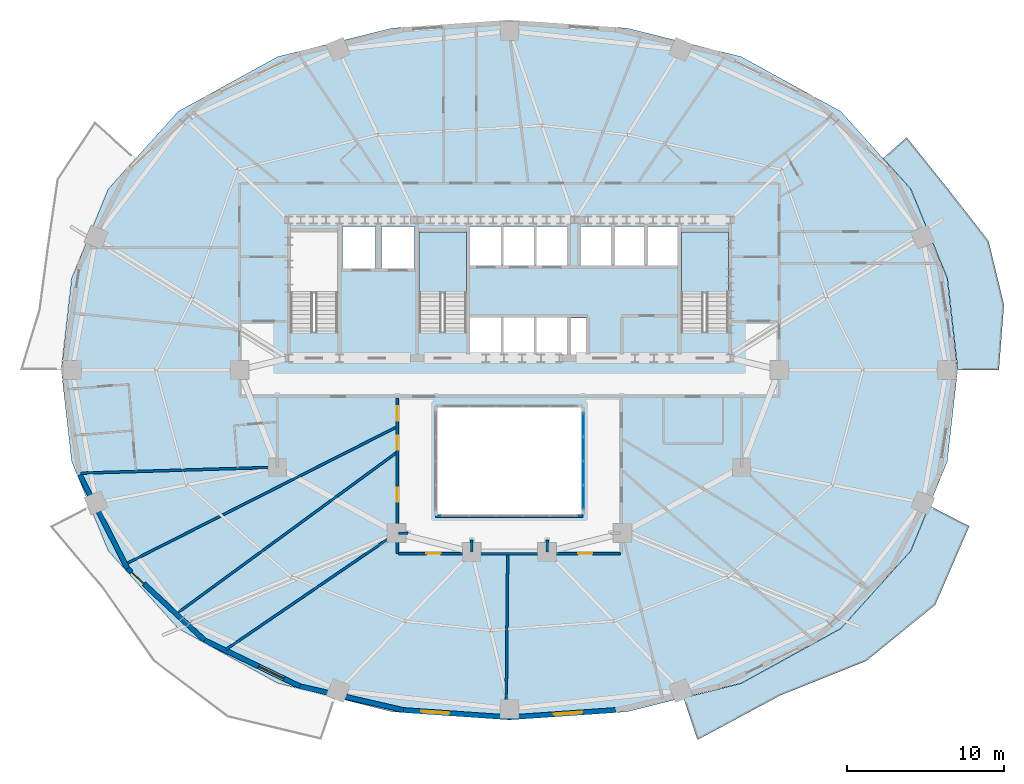
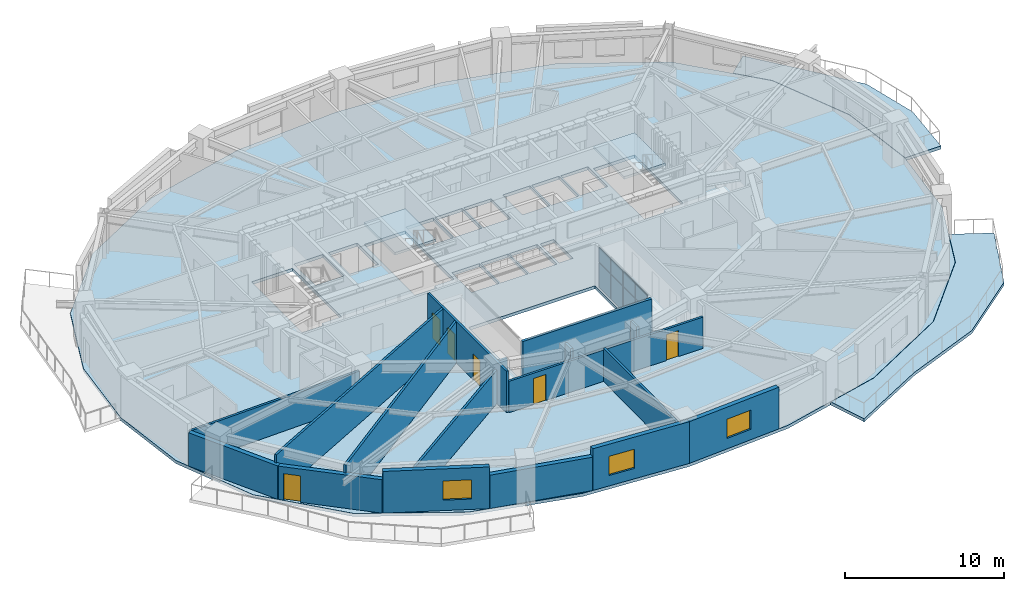
# One storey, part 6 of 14: 17 walls, 8 plates, 6 doors, 5 slabs, 3 windows, 9 openings, 3 elements without a shape of their own.
"""IFC4 building model written with IfcOpenShell, lengths in metres."""

from ifc_helpers import new_model, si_unit, direction, frame, frame_2d, origin, origin_2d, place, context, subcontext, project, spatial, polyline, rectangle, outline, extrude, material, layer, layer_set, type_object, element, fill, aggregate, save


model = new_model("IFC4")

# Units and contexts
model_context = context("Model", 3, precision=1e-05, world=origin(), true_north=direction((0.0, 1.0)))
body_context = subcontext(model_context, "Body", "Model", "MODEL_VIEW")
ifc_project = project(units=[si_unit("LENGTHUNIT", "METRE"), si_unit("AREAUNIT", "SQUARE_METRE"), si_unit("VOLUMEUNIT", "CUBIC_METRE"), si_unit("PLANEANGLEUNIT", "RADIAN"), si_unit("MASSUNIT", "GRAM", prefix="KILO")], contexts=[model_context])

# Site, building, storey
site_placement = place(None, origin())
site = spatial("IfcSite", under=ifc_project, at=site_placement, CompositionType="ELEMENT")
building_placement = place(site_placement, origin())
building = spatial("IfcBuilding", under=site, at=building_placement, Name="Haldorwick Loom Tower", CompositionType="ELEMENT")
storey_placement = place(building_placement, frame((0.0, 0.0, 95.60009765625)))
storey = spatial("IfcBuildingStorey", under=building, at=storey_placement, Name="L25", CompositionType="ELEMENT", Elevation=95.60009765625)

# Curtain wall, plates
ifc_material_1 = material(Name="Thermally Broken Anodized Aluminium Curtain Wall Framing", Category="aluminium")
curtain_wall_type = type_object("IfcCurtainWallType", Name="ARC-CW-03", PredefinedType="NOTDEFINED", material=ifc_material_1)
curtain_wall_placement = place(storey_placement, origin())
curtain_wall = element("IfcCurtainWall", 1, at=curtain_wall_placement, inside=storey, type_object=curtain_wall_type, Name="L25 Atrium Glazed Screen E", PredefinedType="NOTDEFINED")
ifc_material_2 = material(Name="Triple-Glazed Low-E Argon Insulated Glazing Unit", Category="glass")
ifc_layer_1 = layer(ifc_material_2, 0.04296875, Name="Triple-Glazed Low-E Argon Insulated Glazing Unit", Category="glass")
ifc_layer_set_1 = layer_set([ifc_layer_1], Name="Triple-Glazed Low-E Argon Insulated Glazing Unit")
plate_type = type_object("IfcPlateType", Name="ARC-CWP-03", PredefinedType="CURTAIN_PANEL", material=ifc_layer_set_1)
plate_1_placement = place(storey_placement, frame((40.699951171875, 22.508544921875, 0.06591796875), z_axis=(0.0, 0.0, 1.0), x_axis=(0.0, -1.0, 0.0)))
plate_1 = element("IfcPlate", 2, at=plate_1_placement, type_object=plate_type, Name="CW-03 panel 1.1", PredefinedType="CURTAIN_PANEL", context=body_context, shape_type="SweptSolid", body=[
    extrude(rectangle(XDim=1.450927734375, YDim=0.04296875, at=origin_2d()), origin(), (0.0, 0.0, 1.0), 1.90087890625),
])
plate_2_placement = place(storey_placement, frame((40.699951171875, 22.508544921875, 2.03271484375), z_axis=(0.0, 0.0, 1.0), x_axis=(0.0, -1.0, 0.0)))
plate_2 = element("IfcPlate", 3, at=plate_2_placement, type_object=plate_type, Name="CW-03 panel 1.2", PredefinedType="CURTAIN_PANEL", context=body_context, shape_type="SweptSolid", body=[
    extrude(rectangle(XDim=1.450927734375, YDim=0.04296875, at=origin_2d()), origin(), (0.0, 0.0, 1.0), 1.111083984375),
])
plate_3_placement = place(storey_placement, frame((40.699951171875, 20.97509765625, 0.06591796875), z_axis=(0.0, 0.0, 1.0), x_axis=(0.0, -1.0, 0.0)))
plate_3 = element("IfcPlate", 4, at=plate_3_placement, type_object=plate_type, Name="CW-03 panel 2.1", PredefinedType="CURTAIN_PANEL", context=body_context, shape_type="SweptSolid", body=[
    extrude(rectangle(XDim=1.48388671875, YDim=0.04296875, at=origin_2d()), origin(), (0.0, 0.0, 1.0), 1.90087890625),
])
plate_4_placement = place(storey_placement, frame((40.699951171875, 20.97509765625, 2.03271484375), z_axis=(0.0, 0.0, 1.0), x_axis=(0.0, -1.0, 0.0)))
plate_4 = element("IfcPlate", 5, at=plate_4_placement, type_object=plate_type, Name="CW-03 panel 2.2", PredefinedType="CURTAIN_PANEL", context=body_context, shape_type="SweptSolid", body=[
    extrude(rectangle(XDim=1.48388671875, YDim=0.04296875, at=origin_2d()), origin(), (0.0, 0.0, 1.0), 1.111083984375),
])
plate_5_placement = place(storey_placement, frame((40.699951171875, 19.425048828125, 0.06591796875), z_axis=(0.0, 0.0, 1.0), x_axis=(0.0, -1.0, 0.0)))
plate_5 = element("IfcPlate", 6, at=plate_5_placement, type_object=plate_type, Name="CW-03 panel 3.1", PredefinedType="CURTAIN_PANEL", context=body_context, shape_type="SweptSolid", body=[
    extrude(rectangle(XDim=1.48388671875, YDim=0.04296875, at=origin_2d()), origin(), (0.0, 0.0, 1.0), 1.90087890625),
])
plate_6_placement = place(storey_placement, frame((40.699951171875, 19.425048828125, 2.03271484375), z_axis=(0.0, 0.0, 1.0), x_axis=(0.0, -1.0, 0.0)))
plate_6 = element("IfcPlate", 7, at=plate_6_placement, type_object=plate_type, Name="CW-03 panel 3.2", PredefinedType="CURTAIN_PANEL", context=body_context, shape_type="SweptSolid", body=[
    extrude(rectangle(XDim=1.48388671875, YDim=0.04296875, at=origin_2d()), origin(), (0.0, 0.0, 1.0), 1.111083984375),
])
plate_7_placement = place(storey_placement, frame((40.699951171875, 17.8916015625, 0.06591796875), z_axis=(0.0, 0.0, 1.0), x_axis=(0.0, -1.0, 0.0)))
plate_7 = element("IfcPlate", 8, at=plate_7_placement, type_object=plate_type, Name="CW-03 panel 4.1", PredefinedType="CURTAIN_PANEL", context=body_context, shape_type="SweptSolid", body=[
    extrude(rectangle(XDim=1.450927734375, YDim=0.04296875, at=origin_2d()), origin(), (0.0, 0.0, 1.0), 1.90087890625),
])
plate_8_placement = place(storey_placement, frame((40.699951171875, 17.8916015625, 2.03271484375), z_axis=(0.0, 0.0, 1.0), x_axis=(0.0, -1.0, 0.0)))
plate_8 = element("IfcPlate", 9, at=plate_8_placement, type_object=plate_type, Name="CW-03 panel 4.2", PredefinedType="CURTAIN_PANEL", context=body_context, shape_type="SweptSolid", body=[
    extrude(rectangle(XDim=1.450927734375, YDim=0.04296875, at=origin_2d()), origin(), (0.0, 0.0, 1.0), 1.111083984375),
])
aggregate(curtain_wall, [plate_1, plate_2, plate_3, plate_4, plate_5, plate_6, plate_7, plate_8])

# Slabs
ifc_material_3 = material(Name="Concrete C40 (40 MPa)", Category="concrete")
ifc_layer_2 = layer(ifc_material_3, 0.239990234375, Name="Concrete C40 (40 MPa)", Category="concrete")
ifc_layer_set_2 = layer_set([ifc_layer_2], Name="Concrete C40 (40 MPa)")
slab_type_1 = type_object("IfcSlabType", Name="STR-SLB-BAL240", PredefinedType="FLOOR", material=ifc_layer_set_2)
slab_1_placement = place(storey_placement, frame((0.0, 0.0, -0.239990234375)))
element("IfcSlab", 10, at=slab_1_placement, inside=storey, type_object=slab_type_1, Name="L25 Sinusoidal Balcony Terrace BAL_SE", PredefinedType="FLOOR", context=body_context, shape_type="SweptSolid", body=[
    extrude(outline(polyline([(62.758544921875, 17.348388671875), (61.580078125, 14.468994140625), (61.579345703125, 14.4677734375), (61.578857421875, 14.466552734375), (61.578125, 14.465576171875), (61.5771484375, 14.464599609375), (57.11279296875, 9.51318359375), (57.11181640625, 9.51220703125), (57.1103515625, 9.510986328125), (57.10888671875, 9.51025390625), (50.767822265625, 6.0244140625), (50.7666015625, 6.023681640625), (50.765380859375, 6.023193359375), (50.76416015625, 6.022705078125), (47.0869140625, 5.105224609375), (47.983642578125, 2.43310546875), (53.252197265625, 5.258056640625), (58.720458984375, 7.4501953125), (63.1259765625, 11.02294921875), (65.300537109375, 16.042236328125), (62.758544921875, 17.348388671875)])), origin(), (0.0, 0.0, 1.0), 0.239990234375),
])
slab_2_placement = place(storey_placement, frame((0.0, 0.0, -0.239990234375)))
element("IfcSlab", 11, at=slab_2_placement, inside=storey, type_object=slab_type_1, Name="L25 Sinusoidal Balcony Terrace BAL_ENE", PredefinedType="FLOOR", context=body_context, shape_type="SweptSolid", body=[
    extrude(outline(polyline([(59.814208984375, 39.490966796875), (61.5771484375, 37.535400390625), (61.578125, 37.534423828125), (61.578857421875, 37.533447265625), (61.579345703125, 37.5322265625), (61.580078125, 37.531005859375), (63.90869140625, 31.841796875), (63.9091796875, 31.840576171875), (63.909423828125, 31.83935546875), (63.90966796875, 31.837890625), (64.572509765625, 26.001708984375), (64.572509765625, 26.0), (67.1875, 26.0), (67.51220703125, 30.1494140625), (66.52587890625, 34.22265625), (63.92919921875, 37.553466796875), (61.3076171875, 40.816162109375), (59.814208984375, 39.490966796875)])), origin(), (0.0, 0.0, 1.0), 0.239990234375),
])

# Stair, slab
stair_type = type_object("IfcStairType", Name="STR-STR-CORE", PredefinedType="HALF_TURN_STAIR", material=ifc_material_3)
stair_1_placement = place(storey_placement, origin())
stair_1 = element("IfcStair", 12, at=stair_1_placement, inside=storey, type_object=stair_type, Name="L25 Exit Stair ST-02", PredefinedType="HALF_TURN_STAIR")
ifc_layer_3 = layer(ifc_material_3, 0.199951171875, Name="Concrete C40 (40 MPa)", Category="concrete")
ifc_layer_set_3 = layer_set([ifc_layer_3], Name="Concrete C40 (40 MPa)")
slab_type_2 = type_object("IfcSlabType", Name="STR-SLB-LAND200", PredefinedType="LANDING", material=ifc_layer_set_3)
slab_3_placement = place(storey_placement, frame((0.0, 0.0, 1.52490234375)))
slab_3 = element("IfcSlab", 13, at=slab_3_placement, type_object=slab_type_2, Name="ST-02 landing 1", PredefinedType="LANDING", context=body_context, shape_type="SweptSolid", body=[
    extrude(outline(polyline([(49.949951171875, 30.919921875), (49.949951171875, 34.800048828125), (46.949951171875, 34.800048828125), (46.949951171875, 30.919921875), (49.949951171875, 30.919921875)])), origin(), (0.0, 0.0, 1.0), 0.199951171875),
])
aggregate(stair_1, [slab_3])

stair_2_placement = place(storey_placement, origin())
stair_2 = element("IfcStair", 14, at=stair_2_placement, inside=storey, type_object=stair_type, Name="L25 Exit Stair ST-03", PredefinedType="HALF_TURN_STAIR")
slab_4_placement = place(storey_placement, frame((0.0, 0.0, 1.52490234375)))
slab_4 = element("IfcSlab", 15, at=slab_4_placement, type_object=slab_type_2, Name="ST-03 landing 1", PredefinedType="LANDING", context=body_context, shape_type="SweptSolid", body=[
    extrude(outline(polyline([(33.25, 30.919921875), (33.25, 34.800048828125), (30.25, 34.800048828125), (30.25, 30.919921875), (33.25, 30.919921875)])), origin(), (0.0, 0.0, 1.0), 0.199951171875),
])
aggregate(stair_2, [slab_4])

# Slab
ifc_layer_4 = layer(ifc_material_3, 0.239990234375, Name="Concrete C40 (40 MPa)", Category="concrete")
ifc_layer_set_4 = layer_set([ifc_layer_4], Name="Concrete C40 (40 MPa)")
slab_type_3 = type_object("IfcSlabType", Name="STR-SLB-RES240", PredefinedType="FLOOR", material=ifc_layer_set_4)
slab_5_placement = place(storey_placement, frame((0.0, 0.0, -0.239990234375)))
element("IfcSlab", 16, at=slab_5_placement, inside=storey, type_object=slab_type_3, Name="L25 Residential Structural Floor Slab", PredefinedType="FLOOR", context=body_context, shape_type="SweptSolid", body=[
    extrude(outline(polyline([(57.101806640625, 9.523193359375), (61.566162109375, 14.474609375), (63.894775390625, 20.163818359375), (64.5576171875, 26.0), (63.894775390625, 31.836181640625), (61.566162109375, 37.525390625), (57.101806640625, 42.476806640625), (50.760498046875, 45.962646484375), (43.474365234375, 47.781005859375), (36.0, 48.29833984375), (28.525634765625, 47.781005859375), (21.239501953125, 45.962646484375), (14.898193359375, 42.476806640625), (10.433837890625, 37.525390625), (8.105224609375, 31.836181640625), (7.4423828125, 26.0), (8.105224609375, 20.163818359375), (10.433837890625, 14.474609375), (14.898193359375, 9.523193359375), (21.239501953125, 6.037353515625), (28.525634765625, 4.218994140625), (36.0, 3.70166015625), (43.474365234375, 4.218994140625), (50.760498046875, 6.037353515625), (57.101806640625, 9.523193359375)]), holes=[polyline([(31.39990234375, 23.60009765625), (40.60009765625, 23.60009765625), (40.60009765625, 16.800048828125), (31.39990234375, 16.800048828125), (31.39990234375, 23.60009765625)]), polyline([(33.5, 26.85009765625), (33.5, 29.35009765625), (35.5, 29.35009765625), (35.5, 26.85009765625), (33.5, 26.85009765625)]), polyline([(22.050048828125, 28.39990234375), (22.050048828125, 34.800048828125), (25.050048828125, 34.800048828125), (25.050048828125, 28.639892578125), (23.6201171875, 28.639892578125), (23.6201171875, 28.39990234375), (22.050048828125, 28.39990234375)]), polyline([(30.25, 28.39990234375), (30.25, 34.800048828125), (33.25, 34.800048828125), (33.25, 28.639892578125), (31.820068359375, 28.639892578125), (31.820068359375, 28.39990234375), (30.25, 28.39990234375)]), polyline([(25.35009765625, 32.449951171875), (25.35009765625, 35.14990234375), (27.449951171875, 35.14990234375), (27.449951171875, 32.449951171875), (25.35009765625, 32.449951171875)]), polyline([(27.85009765625, 32.449951171875), (27.85009765625, 35.14990234375), (29.949951171875, 35.14990234375), (29.949951171875, 32.449951171875), (27.85009765625, 32.449951171875)]), polyline([(33.5, 32.64990234375), (33.5, 35.14990234375), (35.5, 35.14990234375), (35.5, 32.64990234375), (33.5, 32.64990234375)]), polyline([(35.60009765625, 32.64990234375), (35.60009765625, 35.14990234375), (37.60009765625, 35.14990234375), (37.60009765625, 32.64990234375), (35.60009765625, 32.64990234375)]), polyline([(35.60009765625, 26.85009765625), (35.60009765625, 29.35009765625), (37.60009765625, 29.35009765625), (37.60009765625, 26.85009765625), (35.60009765625, 26.85009765625)]), polyline([(37.699951171875, 26.85009765625), (37.699951171875, 29.35009765625), (39.699951171875, 29.35009765625), (39.699951171875, 26.85009765625), (37.699951171875, 26.85009765625)]), polyline([(39.89990234375, 26.89990234375), (39.89990234375, 29.300048828125), (40.89990234375, 29.300048828125), (40.89990234375, 26.89990234375), (39.89990234375, 26.89990234375)]), polyline([(46.949951171875, 28.39990234375), (46.949951171875, 34.800048828125), (49.949951171875, 34.800048828125), (49.949951171875, 28.639892578125), (48.52001953125, 28.639892578125), (48.52001953125, 28.39990234375), (46.949951171875, 28.39990234375)]), polyline([(37.699951171875, 32.64990234375), (37.699951171875, 35.14990234375), (39.699951171875, 35.14990234375), (39.699951171875, 32.64990234375), (37.699951171875, 32.64990234375)]), polyline([(40.550048828125, 32.64990234375), (40.550048828125, 35.14990234375), (42.550048828125, 35.14990234375), (42.550048828125, 32.64990234375), (40.550048828125, 32.64990234375)]), polyline([(42.64990234375, 32.64990234375), (42.64990234375, 35.14990234375), (44.64990234375, 35.14990234375), (44.64990234375, 32.64990234375), (42.64990234375, 32.64990234375)]), polyline([(44.75, 32.64990234375), (44.75, 35.14990234375), (46.75, 35.14990234375), (46.75, 32.64990234375), (44.75, 32.64990234375)])]), origin(), (0.0, 0.0, 1.0), 0.239990234375),
])

# Wall
ifc_material_4 = material(Name="Pressed Clay Face Brick and Insulated Masonry Backup Assembly", Category="masonry")
ifc_layer_5 = layer(ifc_material_4, 0.320068359375, Name="Pressed Clay Face Brick and Insulated Masonry Backup Assembly", Category="masonry")
ifc_layer_set_5 = layer_set([ifc_layer_5], Name="Pressed Clay Face Brick and Insulated Masonry Backup Assembly")
wall_type_1 = type_object("IfcWallType", Name="ARC-WL-EXT320", PredefinedType="STANDARD", material=ifc_layer_set_5)
wall_1_placement = place(storey_placement, frame((8.619384765625, 19.324951171875, 0.0), z_axis=(0.0, 0.0, 1.0), x_axis=(0.453374078001, -0.89132033826, 0.0)))
element("IfcWall", 17, at=wall_1_placement, inside=storey, type_object=wall_type_1, Name="L25 Brick Pier and Spandrel Wall 14", PredefinedType="STANDARD", context=body_context, shape_type="SweptSolid", body=[
    extrude(rectangle(XDim=6.709716796875, YDim=0.320068359375, at=frame_2d((3.35498046875, 0.0))), origin(), (0.0, 0.0, 1.0), 2.56884765625),
])

# Wall, opening, door
wall_2_placement = place(storey_placement, frame((11.661376953125, 13.344482421875, 0.0), z_axis=(0.0, 0.0, 1.0), x_axis=(0.732137360086, -0.681157020052, 0.0)))
wall_2 = element("IfcWall", 18, at=wall_2_placement, inside=storey, type_object=wall_type_1, Name="L25 Brick Pier and Spandrel Wall 15", PredefinedType="STANDARD", context=body_context, shape_type="SweptSolid", body=[
    extrude(rectangle(XDim=6.709228515625, YDim=0.320068359375, at=frame_2d((3.3544921875, 0.0))), origin(), (0.0, 0.0, 1.0), 2.56884765625),
])
opening_1_placement = place(wall_2_placement, frame((0.340087890625, 0.0, 0.0)))
opening_1 = element("IfcOpeningElement", 19, at=opening_1_placement, cuts=wall_2, Name="Opening D-BL11", PredefinedType="OPENING", context=body_context, shape_type="SweptSolid", body=[
    extrude(rectangle(XDim=1.080078125, YDim=2.0400390625, at=frame_2d((0.5400390625, 1.02001953125))), frame((0.0, 0.169921875, 0.0), z_axis=(0.0, -1.0, 0.0), x_axis=(1.0, 0.0, 0.0)), (0.0, 0.0, 1.0), 0.340087890625),
])
door_type_1 = type_object("IfcDoorType", Name="ARC-DR-BAL110", OperationType="NOTDEFINED", PredefinedType="DOOR", material=ifc_material_1)
door_1_placement = place(opening_1_placement, origin())
door_1 = element("IfcDoor", 20, at=door_1_placement, inside=storey, type_object=door_type_1, Name="L25 Outdoor Terrace Door SLB-L25-BAL_SW", OperationType="SINGLE_SWING_LEFT", OverallHeight=2.0400390625, OverallWidth=1.080078125, PredefinedType="DOOR", context=body_context, shape_type="SweptSolid", body=[
    extrude(rectangle(XDim=1.080078125, YDim=2.0400390625, at=frame_2d((0.5400390625, 1.02001953125))), frame((0.0, 0.02490234375, 0.0), z_axis=(0.0, -1.0, 0.0), x_axis=(1.0, 0.0, 0.0)), (0.0, 0.0, 1.0), 0.050048828125),
])
fill(opening_1, door_1)

# Wall, opening, window
wall_3_placement = place(storey_placement, frame((16.573486328125, 8.7744140625, 0.0), z_axis=(0.0, 0.0, 1.0), x_axis=(0.900510094661, -0.434835106004, 0.0)))
wall_3 = element("IfcWall", 21, at=wall_3_placement, inside=storey, type_object=wall_type_1, Name="L25 Brick Pier and Spandrel Wall 16", PredefinedType="STANDARD", context=body_context, shape_type="SweptSolid", body=[
    extrude(rectangle(XDim=6.744873046875, YDim=0.320068359375, at=frame_2d((3.37255859375, 0.0))), origin(), (0.0, 0.0, 1.0), 3.2099609375),
])
opening_2_placement = place(wall_3_placement, frame((3.8212890625, 0.0, 0.800048828125)))
opening_2 = element("IfcOpeningElement", 22, at=opening_2_placement, cuts=wall_3, Name="Opening W-01", PredefinedType="OPENING", context=body_context, shape_type="SweptSolid", body=[
    extrude(rectangle(XDim=1.800048828125, YDim=1.47998046875, at=frame_2d((0.89990234375, 0.739990234375))), frame((0.0, 0.169921875, 0.0), z_axis=(0.0, -1.0, 0.0), x_axis=(1.0, 0.0, 0.0)), (0.0, 0.0, 1.0), 0.340087890625),
])
window_type = type_object("IfcWindowType", Name="ARC-WIN-W180", PartitioningType="SINGLE_PANEL", PredefinedType="WINDOW", material=ifc_material_2)
window_1_placement = place(opening_2_placement, origin())
window_1 = element("IfcWindow", 23, at=window_1_placement, inside=storey, type_object=window_type, Name="L25 Deep-Set Zone 7A Window 16", OverallHeight=1.47998046875, OverallWidth=1.800048828125, PartitioningType="SINGLE_PANEL", PredefinedType="WINDOW", context=body_context, shape_type="SweptSolid", body=[
    extrude(rectangle(XDim=1.800048828125, YDim=1.47998046875, at=frame_2d((0.89990234375, 0.739990234375))), frame((0.0, 0.030029296875, 0.0), z_axis=(0.0, -1.0, 0.0), x_axis=(1.0, 0.0, 0.0)), (0.0, 0.0, 1.0), 0.06005859375),
])
fill(opening_2, window_1)

# Wall
wall_4_placement = place(storey_placement, frame((22.647216796875, 5.841552734375, 0.0), z_axis=(0.0, 0.0, 1.0), x_axis=(0.974584177714, -0.224021607329, 0.0)))
element("IfcWall", 24, at=wall_4_placement, inside=storey, type_object=wall_type_1, Name="L25 Brick Pier and Spandrel Wall 17", PredefinedType="STANDARD", context=body_context, shape_type="SweptSolid", body=[
    extrude(rectangle(XDim=6.767822265625, YDim=0.320068359375, at=frame_2d((3.3837890625, 0.0))), origin(), (0.0, 0.0, 1.0), 2.56884765625),
])

# Wall, opening, window
wall_5_placement = place(storey_placement, frame((29.242919921875, 4.325439453125, 0.0), z_axis=(0.0, 0.0, 1.0), x_axis=(0.997651949344, -0.068487867318, 0.0)))
wall_5 = element("IfcWall", 25, at=wall_5_placement, inside=storey, type_object=wall_type_1, Name="L25 Brick Pier and Spandrel Wall 18", PredefinedType="STANDARD", context=body_context, shape_type="SweptSolid", body=[
    extrude(rectangle(XDim=6.77294921875, YDim=0.320068359375, at=frame_2d((3.386474609375, 0.0))), origin(), (0.0, 0.0, 1.0), 3.2099609375),
])
opening_3_placement = place(wall_5_placement, frame((1.1318359375, 0.0, 0.800048828125)))
opening_3 = element("IfcOpeningElement", 26, at=opening_3_placement, cuts=wall_5, Name="Opening W-01", PredefinedType="OPENING", context=body_context, shape_type="SweptSolid", body=[
    extrude(rectangle(XDim=1.800048828125, YDim=1.47998046875, at=frame_2d((0.89990234375, 0.739990234375))), frame((0.0, 0.169921875, 0.0), z_axis=(0.0, -1.0, 0.0), x_axis=(1.0, 0.0, 0.0)), (0.0, 0.0, 1.0), 0.340087890625),
])
window_2_placement = place(opening_3_placement, origin())
window_2 = element("IfcWindow", 27, at=window_2_placement, inside=storey, type_object=window_type, Name="L25 Deep-Set Zone 7A Window 18", OverallHeight=1.47998046875, OverallWidth=1.800048828125, PartitioningType="SINGLE_PANEL", PredefinedType="WINDOW", context=body_context, shape_type="SweptSolid", body=[
    extrude(rectangle(XDim=1.800048828125, YDim=1.47998046875, at=frame_2d((0.89990234375, 0.739990234375))), frame((0.0, 0.030029296875, 0.0), z_axis=(0.0, -1.0, 0.0), x_axis=(1.0, 0.0, 0.0)), (0.0, 0.0, 1.0), 0.06005859375),
])
fill(opening_3, window_2)

wall_6_placement = place(storey_placement, frame((36.0, 3.861572265625, 0.0), z_axis=(0.0, 0.0, 1.0), x_axis=(0.997651949344, 0.068487867318, 0.0)))
wall_6 = element("IfcWall", 28, at=wall_6_placement, inside=storey, type_object=wall_type_1, Name="L25 Brick Pier and Spandrel Wall 19", PredefinedType="STANDARD", context=body_context, shape_type="SweptSolid", body=[
    extrude(rectangle(XDim=6.77294921875, YDim=0.320068359375, at=frame_2d((3.386474609375, 0.0))), origin(), (0.0, 0.0, 1.0), 3.2099609375),
])
opening_4_placement = place(wall_6_placement, frame((2.84423828125, 0.0, 0.800048828125)))
opening_4 = element("IfcOpeningElement", 29, at=opening_4_placement, cuts=wall_6, Name="Opening W-01", PredefinedType="OPENING", context=body_context, shape_type="SweptSolid", body=[
    extrude(rectangle(XDim=1.800048828125, YDim=1.47998046875, at=frame_2d((0.89990234375, 0.739990234375))), frame((0.0, 0.169921875, 0.0), z_axis=(0.0, -1.0, 0.0), x_axis=(1.0, 0.0, 0.0)), (0.0, 0.0, 1.0), 0.340087890625),
])
window_3_placement = place(opening_4_placement, origin())
window_3 = element("IfcWindow", 30, at=window_3_placement, inside=storey, type_object=window_type, Name="L25 Deep-Set Zone 7A Window 19", OverallHeight=1.47998046875, OverallWidth=1.800048828125, PartitioningType="SINGLE_PANEL", PredefinedType="WINDOW", context=body_context, shape_type="SweptSolid", body=[
    extrude(rectangle(XDim=1.800048828125, YDim=1.47998046875, at=frame_2d((0.89990234375, 0.739990234375))), frame((0.0, 0.030029296875, 0.0), z_axis=(0.0, -1.0, 0.0), x_axis=(1.0, 0.0, 0.0)), (0.0, 0.0, 1.0), 0.06005859375),
])
fill(opening_4, window_3)

# Wall, openings, doors
ifc_material_5 = material(Name="Fire-Rated Type X Gypsum Stud Assembly EI 60")
ifc_layer_6 = layer(ifc_material_5, 0.159912109375, Name="Fire-Rated Type X Gypsum Stud Assembly EI 60")
ifc_layer_set_6 = layer_set([ifc_layer_6], Name="Fire-Rated Type X Gypsum Stud Assembly EI 60")
wall_type_2 = type_object("IfcWallType", Name="ARC-WL-FIRE160", PredefinedType="PARTITIONING", material=ifc_layer_set_6)
wall_7_placement = place(storey_placement, frame((28.85009765625, 14.300048828125, 0.0), z_axis=(0.0, 0.0, 1.0), x_axis=(0.0, 1.0, 0.0)))
wall_7 = element("IfcWall", 31, at=wall_7_placement, inside=storey, type_object=wall_type_2, Name="L25 Residential Fire Partition L25-CR-AW", PredefinedType="PARTITIONING", context=body_context, shape_type="SweptSolid", body=[
    extrude(rectangle(XDim=9.9169921875, YDim=0.159912109375, at=frame_2d((4.95849609375, 0.0))), origin(), (0.0, 0.0, 1.0), 3.19482421875),
])
opening_5_placement = place(wall_7_placement, frame((3.29638671875, 0.0, 0.0)))
opening_5 = element("IfcOpeningElement", 32, at=opening_5_placement, cuts=wall_7, Name="Opening D-FD60A", PredefinedType="OPENING", context=body_context, shape_type="SweptSolid", body=[
    extrude(rectangle(XDim=0.89990234375, YDim=2.0, at=frame_2d((0.449951171875, 1.0))), frame((0.0, 0.08984375, 0.0), z_axis=(0.0, -1.0, 0.0), x_axis=(1.0, 0.0, 0.0)), (0.0, 0.0, 1.0), 0.179931640625),
])
opening_6_placement = place(wall_7_placement, frame((8.475341796875, 0.0, 0.0)))
opening_6 = element("IfcOpeningElement", 33, at=opening_6_placement, cuts=wall_7, Name="Opening D-FD60A", PredefinedType="OPENING", context=body_context, shape_type="SweptSolid", body=[
    extrude(rectangle(XDim=0.89990234375, YDim=2.0, at=frame_2d((0.449951171875, 1.0))), frame((0.0, 0.08984375, 0.0), z_axis=(0.0, -1.0, 0.0), x_axis=(1.0, 0.0, 0.0)), (0.0, 0.0, 1.0), 0.179931640625),
])
opening_7_placement = place(wall_7_placement, frame((6.60205078125, 0.0, 0.0)))
opening_7 = element("IfcOpeningElement", 34, at=opening_7_placement, cuts=wall_7, Name="Opening D-FD60A", PredefinedType="OPENING", context=body_context, shape_type="SweptSolid", body=[
    extrude(rectangle(XDim=0.89990234375, YDim=2.0, at=frame_2d((0.449951171875, 1.0))), frame((0.0, 0.08984375, 0.0), z_axis=(0.0, -1.0, 0.0), x_axis=(1.0, 0.0, 0.0)), (0.0, 0.0, 1.0), 0.179931640625),
])
ifc_material_6 = material(Name="Hollow Steel Fire Door Assembly", Category="steel")
door_type_2 = type_object("IfcDoorType", Name="ARC-DR-FD60-90", OperationType="NOTDEFINED", PredefinedType="DOOR", material=ifc_material_6)
door_2_placement = place(opening_5_placement, frame((0.89990234375, 0.0, 0.0), z_axis=(0.0, 0.0, 1.0), x_axis=(-1.0, 0.0, 0.0)))
door_2 = element("IfcDoor", 35, at=door_2_placement, inside=storey, type_object=door_type_2, Name="L25 Community Teaching Classroom 7 to L25 South Atrium Corridor Door", OperationType="SINGLE_SWING_RIGHT", OverallHeight=2.0, OverallWidth=0.89990234375, PredefinedType="DOOR", context=body_context, shape_type="SweptSolid", body=[
    extrude(rectangle(XDim=0.89990234375, YDim=2.0, at=frame_2d((0.449951171875, 1.0))), frame((0.0, 0.02490234375, 0.0), z_axis=(0.0, -1.0, 0.0), x_axis=(1.0, 0.0, 0.0)), (0.0, 0.0, 1.0), 0.050048828125),
])
fill(opening_5, door_2)
door_3_placement = place(opening_6_placement, frame((0.89990234375, 0.0, 0.0), z_axis=(0.0, 0.0, 1.0), x_axis=(-1.0, 0.0, 0.0)))
door_3 = element("IfcDoor", 36, at=door_3_placement, inside=storey, type_object=door_type_2, Name="L25 Craft Hobby Hall 2 to L25 South Atrium Corridor Door", OperationType="SINGLE_SWING_RIGHT", OverallHeight=2.0, OverallWidth=0.89990234375, PredefinedType="DOOR", context=body_context, shape_type="SweptSolid", body=[
    extrude(rectangle(XDim=0.89990234375, YDim=2.0, at=frame_2d((0.449951171875, 1.0))), frame((0.0, 0.02490234375, 0.0), z_axis=(0.0, -1.0, 0.0), x_axis=(1.0, 0.0, 0.0)), (0.0, 0.0, 1.0), 0.050048828125),
])
fill(opening_6, door_3)
door_4_placement = place(opening_7_placement, frame((0.89990234375, 0.0, 0.0), z_axis=(0.0, 0.0, 1.0), x_axis=(-1.0, 0.0, 0.0)))
door_4 = element("IfcDoor", 37, at=door_4_placement, inside=storey, type_object=door_type_2, Name="L25 Community Teaching Classroom 13 to L25 South Atrium Corridor Door", OperationType="SINGLE_SWING_LEFT", OverallHeight=2.0, OverallWidth=0.89990234375, PredefinedType="DOOR", context=body_context, shape_type="SweptSolid", body=[
    extrude(rectangle(XDim=0.89990234375, YDim=2.0, at=frame_2d((0.449951171875, 1.0))), frame((0.0, 0.02490234375, 0.0), z_axis=(0.0, -1.0, 0.0), x_axis=(1.0, 0.0, 0.0)), (0.0, 0.0, 1.0), 0.050048828125),
])
fill(opening_7, door_4)

wall_8_placement = place(storey_placement, frame((28.93310546875, 14.300048828125, 0.0), z_axis=(0.0, 0.0, 1.0), x_axis=(1.0, 0.0, 0.0)))
wall_8 = element("IfcWall", 38, at=wall_8_placement, inside=storey, type_object=wall_type_2, Name="L25 Residential Fire Partition L25-CR-AS", PredefinedType="PARTITIONING", context=body_context, shape_type="SweptSolid", body=[
    extrude(rectangle(XDim=14.1337890625, YDim=0.159912109375, at=frame_2d((7.06689453125, 0.0))), origin(), (0.0, 0.0, 1.0), 2.411865234375),
])
opening_8_placement = place(wall_8_placement, frame((11.447509765625, 0.0, 0.0)))
opening_8 = element("IfcOpeningElement", 39, at=opening_8_placement, cuts=wall_8, Name="Opening D-FD60A", PredefinedType="OPENING", context=body_context, shape_type="SweptSolid", body=[
    extrude(rectangle(XDim=0.89990234375, YDim=2.0, at=frame_2d((0.449951171875, 1.0))), frame((0.0, 0.08984375, 0.0), z_axis=(0.0, -1.0, 0.0), x_axis=(1.0, 0.0, 0.0)), (0.0, 0.0, 1.0), 0.179931640625),
])
opening_9_placement = place(wall_8_placement, frame((1.776123046875, 0.0, 0.0)))
opening_9 = element("IfcOpeningElement", 40, at=opening_9_placement, cuts=wall_8, Name="Opening D-FD60A", PredefinedType="OPENING", context=body_context, shape_type="SweptSolid", body=[
    extrude(rectangle(XDim=0.89990234375, YDim=2.0, at=frame_2d((0.449951171875, 1.0))), frame((0.0, 0.08984375, 0.0), z_axis=(0.0, -1.0, 0.0), x_axis=(1.0, 0.0, 0.0)), (0.0, 0.0, 1.0), 0.179931640625),
])
door_5_placement = place(opening_8_placement, origin())
door_5 = element("IfcDoor", 41, at=door_5_placement, inside=storey, type_object=door_type_2, Name="L25 L25 South Atrium Corridor to Community Teaching Classroom 1 Door", OperationType="SINGLE_SWING_LEFT", OverallHeight=2.0, OverallWidth=0.89990234375, PredefinedType="DOOR", context=body_context, shape_type="SweptSolid", body=[
    extrude(rectangle(XDim=0.89990234375, YDim=2.0, at=frame_2d((0.449951171875, 1.0))), frame((0.0, 0.02490234375, 0.0), z_axis=(0.0, -1.0, 0.0), x_axis=(1.0, 0.0, 0.0)), (0.0, 0.0, 1.0), 0.050048828125),
])
fill(opening_8, door_5)
door_6_placement = place(opening_9_placement, origin())
door_6 = element("IfcDoor", 42, at=door_6_placement, inside=storey, type_object=door_type_2, Name="L25 L25 South Atrium Corridor to Community Teaching Classroom 4 Door", OperationType="SINGLE_SWING_RIGHT", OverallHeight=2.0, OverallWidth=0.89990234375, PredefinedType="DOOR", context=body_context, shape_type="SweptSolid", body=[
    extrude(rectangle(XDim=0.89990234375, YDim=2.0, at=frame_2d((0.449951171875, 1.0))), frame((0.0, 0.02490234375, 0.0), z_axis=(0.0, -1.0, 0.0), x_axis=(1.0, 0.0, 0.0)), (0.0, 0.0, 1.0), 0.050048828125),
])
fill(opening_9, door_6)

# Walls
wall_9_placement = place(storey_placement, frame((28.76708984375, 15.577392578125, 0.0), z_axis=(0.0, 0.0, 1.0), x_axis=(-0.826055143463, -0.563589300784, 0.0)))
element("IfcWall", 43, at=wall_9_placement, inside=storey, type_object=wall_type_2, Name="L25 Residential Fire Partition L25-ICR-08", PredefinedType="PARTITIONING", context=body_context, shape_type="SweptSolid", body=[
    extrude(rectangle(XDim=13.11083984375, YDim=0.159912109375, at=frame_2d((6.555419921875, 0.0))), origin(), (0.0, 0.0, 1.0), 2.56787109375),
])
wall_10_placement = place(storey_placement, frame((21.199951171875, 19.800048828125, 0.0), z_axis=(0.0, 0.0, 1.0), x_axis=(-0.999544229519, -0.030188296326, 0.0)))
element("IfcWall", 44, at=wall_10_placement, inside=storey, type_object=wall_type_2, Name="L25 Residential Fire Partition L25-ICR-10", PredefinedType="PARTITIONING", context=body_context, shape_type="SweptSolid", body=[
    extrude(rectangle(XDim=12.53515625, YDim=0.159912109375, at=frame_2d((6.267578125, 0.0))), origin(), (0.0, 0.0, 1.0), 2.56787109375),
])
for number, where, z_axis, x_axis, name in (
    (45, (38.39990234375, 15.14990234375, 0.0), (0.0, 0.0, 1.0), (0.0, -1.0, 0.0), "L25 Residential Fire Partition L25-ICA-05"),
    (46, (33.60009765625, 15.14990234375, 0.0), (0.0, 0.0, 1.0), (0.0, -1.0, 0.0), "L25 Residential Fire Partition L25-ICA-06"),
):
    element("IfcWall", number, at=place(storey_placement, frame(where, z_axis=z_axis, x_axis=x_axis)), inside=storey, type_object=wall_type_2, Name=name, PredefinedType="PARTITIONING", context=body_context, shape_type="SweptSolid", body=[
        extrude(rectangle(XDim=0.75, YDim=0.159912109375, at=frame_2d((0.375, 0.0))), origin(), (0.0, 0.0, 1.0), 3.19482421875),
    ])
wall_11_placement = place(storey_placement, frame((29.550048828125, 15.60009765625, 0.0), z_axis=(0.0, 0.0, 1.0), x_axis=(-1.0, 0.0, 0.0)))
element("IfcWall", 47, at=wall_11_placement, inside=storey, type_object=wall_type_2, Name="L25 Residential Fire Partition L25-ICA-07", PredefinedType="PARTITIONING", context=body_context, shape_type="SweptSolid", body=[
    extrude(rectangle(XDim=0.616943359375, YDim=0.159912109375, at=frame_2d((0.30859375, 0.0))), origin(), (0.0, 0.0, 1.0), 3.19482421875),
])
wall_12_placement = place(storey_placement, frame((35.88720703125, 14.217041015625, 0.0), z_axis=(0.0, 0.0, 1.0), x_axis=(-0.009574281984, -0.999954165512, 0.0)))
element("IfcWall", 48, at=wall_12_placement, inside=storey, type_object=wall_type_2, Name="L25 Suite Split Wall", PredefinedType="PARTITIONING", context=body_context, shape_type="SweptSolid", body=[
    extrude(rectangle(XDim=10.2763671875, YDim=0.159912109375, at=frame_2d((5.13818359375, 0.0))), origin(), (0.0, 0.0, 1.0), 2.56787109375),
])
wall_13_placement = place(storey_placement, frame((28.76708984375, 22.34228515625, 0.0), z_axis=(0.0, 0.0, 1.0), x_axis=(-0.892377160014, -0.451290376903, 0.0)))
element("IfcWall", 49, at=wall_13_placement, inside=storey, type_object=wall_type_2, Name="L25 Suite Split Wall", PredefinedType="PARTITIONING", context=body_context, shape_type="SweptSolid", body=[
    extrude(rectangle(XDim=19.26123046875, YDim=0.159912109375, at=frame_2d((9.630615234375, 0.0))), origin(), (0.0, 0.0, 1.0), 3.19482421875),
])
wall_14_placement = place(storey_placement, frame((28.76708984375, 20.7041015625, 0.0), z_axis=(0.0, 0.0, 1.0), x_axis=(-0.806852480605, -0.590752972521, 0.0)))
element("IfcWall", 50, at=wall_14_placement, inside=storey, type_object=wall_type_2, Name="L25 Suite Split Wall", PredefinedType="PARTITIONING", context=body_context, shape_type="SweptSolid", body=[
    extrude(rectangle(XDim=17.2841796875, YDim=0.159912109375, at=frame_2d((8.64208984375, 0.0))), origin(), (0.0, 0.0, 1.0), 3.19482421875),
])
ifc_material_7 = material(Name="Fire-Rated Type X Gypsum Stud Assembly EI 120")
ifc_layer_7 = layer(ifc_material_7, 0.199951171875, Name="Fire-Rated Type X Gypsum Stud Assembly EI 120")
ifc_layer_set_7 = layer_set([ifc_layer_7], Name="Fire-Rated Type X Gypsum Stud Assembly EI 120")
wall_type_3 = type_object("IfcWallType", Name="ARC-WL-FIRE200", PredefinedType="PARTITIONING", material=ifc_layer_set_7)
wall_15_placement = place(storey_placement, frame((40.699951171875, 16.699951171875, 0.0), z_axis=(0.0, 0.0, 1.0), x_axis=(-1.0, 0.0, 0.0)))
element("IfcWall", 51, at=wall_15_placement, inside=storey, type_object=wall_type_3, Name="L25 Atrium Fire Enclosure Wall S", PredefinedType="PARTITIONING", context=body_context, shape_type="SweptSolid", body=[
    extrude(rectangle(XDim=9.39990234375, YDim=0.199951171875, at=frame_2d((4.699951171875, 0.0))), origin(), (0.0, 0.0, 1.0), 3.19482421875),
])

save(model, "model.ifc")
